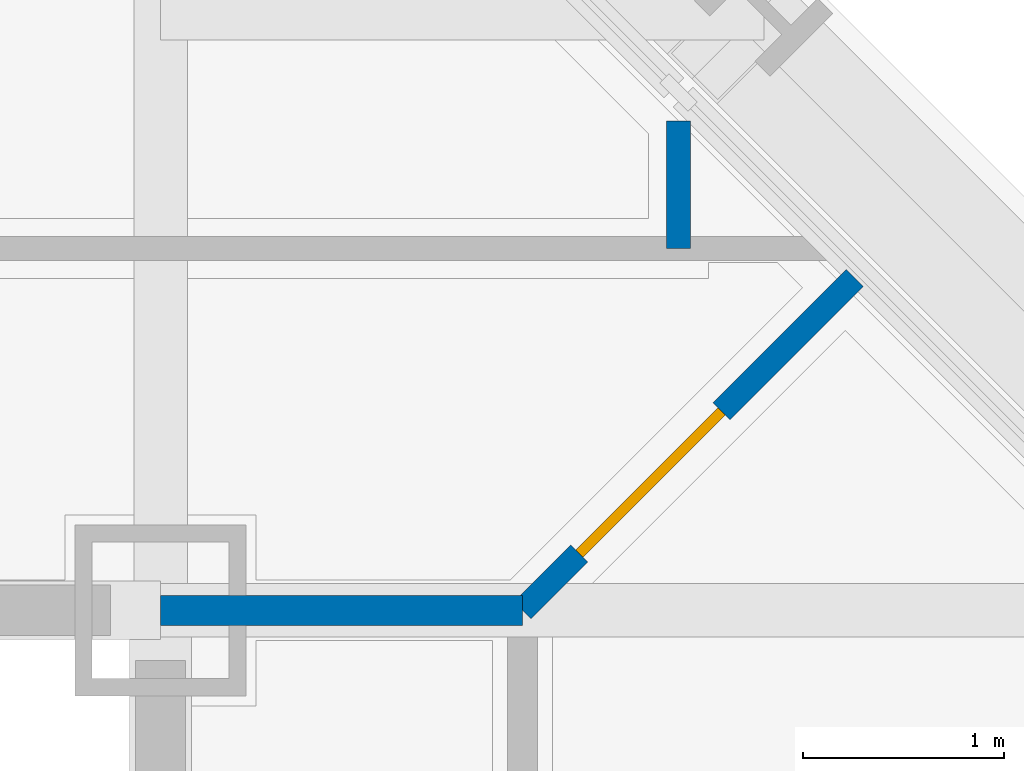
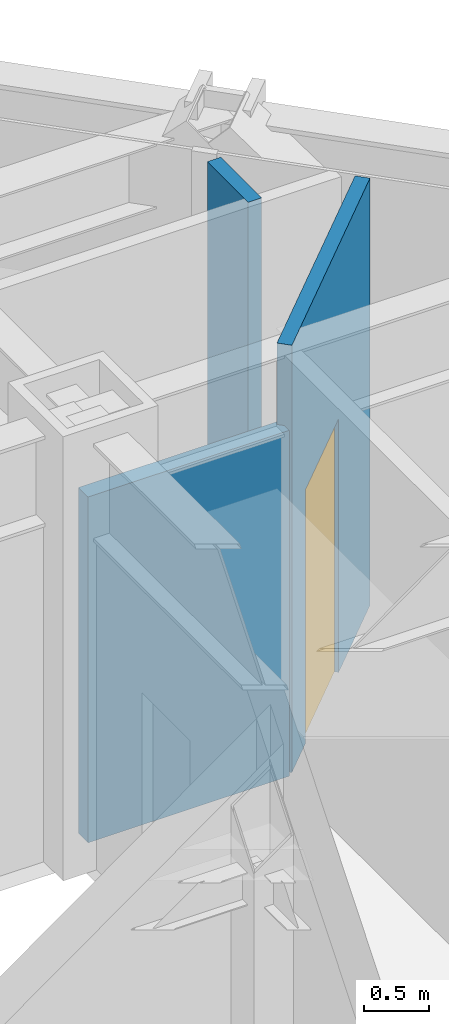
# One storey, part 13 of 17: 3 walls, 1 door, 1 opening.
"""IFC4 building model written with IfcOpenShell, lengths in metres."""

from ifc_helpers import new_model, si_unit, direction, frame, frame_2d, origin, place, context, subcontext, project, spatial, rectangle, extrude, material, layer, layer_set, type_object, element, fill, save


model = new_model("IFC4")

# Units and contexts
model_context = context("Model", 3, precision=1e-05, world=origin(), true_north=direction((0.0, 1.0)))
body_context = subcontext(model_context, "Body", "Model", "MODEL_VIEW")
ifc_project = project(units=[si_unit("LENGTHUNIT", "METRE"), si_unit("AREAUNIT", "SQUARE_METRE"), si_unit("VOLUMEUNIT", "CUBIC_METRE"), si_unit("PLANEANGLEUNIT", "RADIAN"), si_unit("MASSUNIT", "GRAM", prefix="KILO")], contexts=[model_context])

# Site, building, storey
site_placement = place(None, origin())
site = spatial("IfcSite", under=ifc_project, at=site_placement, CompositionType="ELEMENT")
building_placement = place(site_placement, origin())
building = spatial("IfcBuilding", under=site, at=building_placement, Name="Chuquiago Exchange Tower", CompositionType="ELEMENT")
storey_placement = place(building_placement, frame((0.0, 0.0, 136.199951171875)))
storey = spatial("IfcBuildingStorey", under=building, at=storey_placement, Name="L29", CompositionType="ELEMENT", Elevation=136.199951171875)

# Walls
ifc_material_1 = material(Name="Gypsum board on steel studs, acoustic insulation", Category="steel")
ifc_layer_1 = layer(ifc_material_1, 0.14990234375)
ifc_layer_set_1 = layer_set([ifc_layer_1], Name="W11 corridor wall 150")
wall_type_1 = type_object("IfcWallType", Name="W11 corridor wall 150", PredefinedType="PARTITIONING", material=ifc_layer_set_1)
wall_1_placement = place(storey_placement, frame((33.0, 33.0, 0.0), z_axis=(0.0, 0.0, 1.0), x_axis=(1.0, 0.0, 0.0)))
element("IfcWall", 1, at=wall_1_placement, inside=storey, type_object=wall_type_1, Name="PW-L29-GEN0", PredefinedType="PARTITIONING", context=body_context, shape_type="SweptSolid", body=[
    extrude(rectangle(XDim=1.800048828125, YDim=0.14990234375, at=frame_2d((0.89990234375, 0.0))), origin(), (0.0, 0.0, 1.0), 3.2705078125),
])
ifc_material_2 = material(Name="Gypsum board on steel studs", Category="steel")
ifc_layer_2 = layer(ifc_material_2, 0.1201171875)
ifc_layer_set_2 = layer_set([ifc_layer_2], Name="W4 partition 120")
wall_type_2 = type_object("IfcWallType", Name="W4 partition 120", PredefinedType="PARTITIONING", material=ifc_layer_set_2)
wall_2_placement = place(storey_placement, frame((35.57568359375, 35.434326171875, 0.0), z_axis=(0.0, 0.0, 1.0), x_axis=(0.0, -1.0, 0.0)))
element("IfcWall", 2, at=wall_2_placement, inside=storey, type_object=wall_type_2, Name="PW-L29-N03558", PredefinedType="PARTITIONING", context=body_context, shape_type="SweptSolid", body=[
    extrude(rectangle(XDim=0.63427734375, YDim=0.1201171875, at=frame_2d((0.317138671875, 0.0))), origin(), (0.0, 0.0, 1.0), 4.0400390625),
])

# Wall, opening, door
wall_3_placement = place(storey_placement, frame((34.800048828125, 33.0, 0.0), z_axis=(0.0, 0.0, 1.0), x_axis=(0.707106781187, 0.707106781187, 0.0)))
wall_3 = element("IfcWall", 3, at=wall_3_placement, inside=storey, type_object=wall_type_2, Name="PW-L29-QNE", PredefinedType="PARTITIONING", context=body_context, shape_type="SweptSolid", body=[
    extrude(rectangle(XDim=2.337890625, YDim=0.1201171875, at=frame_2d((1.1689453125, 0.0))), origin(), (0.0, 0.0, 1.0), 4.0400390625),
])
opening_placement = place(wall_3_placement, frame((0.39990234375, 0.0, 0.0)))
opening = element("IfcOpeningElement", 4, at=opening_placement, cuts=wall_3, Name="Opening L29-049", PredefinedType="OPENING", context=body_context, shape_type="SweptSolid", body=[
    extrude(rectangle(XDim=1.0, YDim=2.39990234375, at=frame_2d((0.5, 1.199951171875))), frame((0.0, 0.070068359375, 0.0), z_axis=(0.0, -1.0, 0.0), x_axis=(1.0, 0.0, 0.0)), (0.0, 0.0, 1.0), 0.14013671875),
])
ifc_material_3 = material(Name="Timber door, laminate faced", Category="wood")
door_type = type_object("IfcDoorType", Name="D9 room door 1000x2400", OperationType="SINGLE_SWING_LEFT", PredefinedType="DOOR", material=ifc_material_3)
door_placement = place(opening_placement, origin())
door = element("IfcDoor", 5, at=door_placement, inside=storey, type_object=door_type, Name="Team area door", OperationType="SINGLE_SWING_LEFT", OverallHeight=2.39990234375, OverallWidth=1.0, PredefinedType="DOOR", context=body_context, shape_type="SweptSolid", body=[
    extrude(rectangle(XDim=1.0, YDim=2.39990234375, at=frame_2d((0.5, 1.199951171875))), frame((0.0, 0.02490234375, 0.0), z_axis=(0.0, -1.0, 0.0), x_axis=(1.0, 0.0, 0.0)), (0.0, 0.0, 1.0), 0.050048828125),
])
fill(opening, door)

save(model, "model.ifc")
